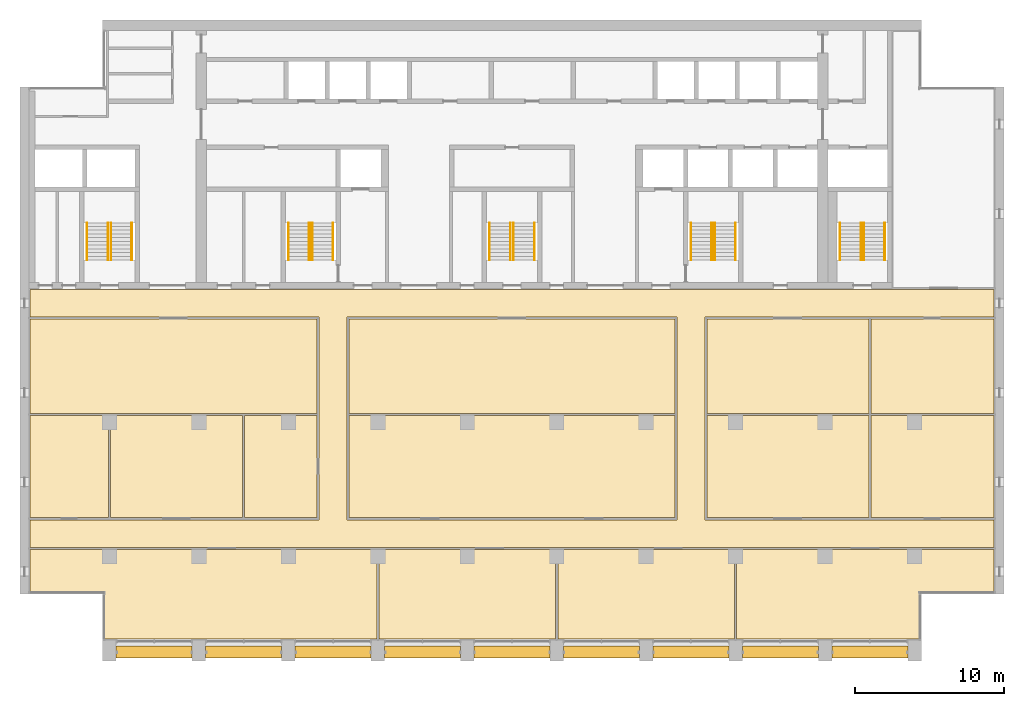
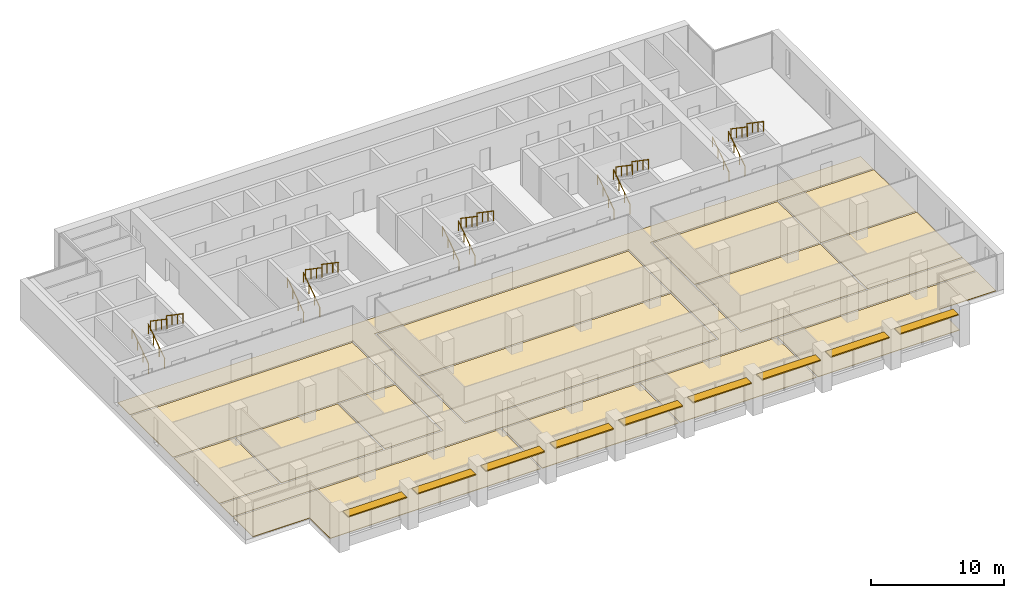
# One storey, part 16 of 17: 20 railings, 15 coverings, 9 shading devices, 5 elements without a shape of their own.
"""IFC4 building model written with IfcOpenShell, lengths in metres."""

from ifc_helpers import new_model, si_unit, direction, frame, origin, origin_2d, place, context, subcontext, project, spatial, polyline, rectangle, circle, outline, extrude, material, layer, layer_set, material_profile, profile_set, type_object, element, aggregate, save


model = new_model("IFC4")

# Units and contexts
model_context = context("Model", 3, precision=1e-05, world=origin(), true_north=direction((0.0, 1.0)))
body_context = subcontext(model_context, "Body", "Model", "MODEL_VIEW")
ifc_project = project(units=[si_unit("LENGTHUNIT", "METRE"), si_unit("AREAUNIT", "SQUARE_METRE"), si_unit("VOLUMEUNIT", "CUBIC_METRE"), si_unit("PLANEANGLEUNIT", "RADIAN"), si_unit("MASSUNIT", "GRAM", prefix="KILO")], contexts=[model_context])

# Site, building, storey
site_placement = place(None, origin())
site = spatial("IfcSite", under=ifc_project, at=site_placement, CompositionType="ELEMENT")
building_placement = place(site_placement, origin())
building = spatial("IfcBuilding", under=site, at=building_placement, Name="Calvaro Tower", CompositionType="ELEMENT")
storey_placement = place(building_placement, frame((0.0, 0.0, 211.75)))
storey = spatial("IfcBuildingStorey", under=building, at=storey_placement, Name="L53", CompositionType="ELEMENT", Elevation=211.75)

# Shading devices
ifc_material_1 = material(Name="Anodised aluminium", Category="aluminium")
ifc_material_profile = material_profile(ifc_material_1, rectangle(XDim=0.800048828125, YDim=0.10009765625, at=origin_2d()), Name="Brise-soleil blade 800 x 100")
ifc_profile_set = profile_set([ifc_material_profile], Name="Anodised aluminium")
shading_device_type = type_object("IfcShadingDeviceType", Name="Brise-soleil blade 800 x 100", PredefinedType="JALOUSIE", material=ifc_profile_set)
for number, where, z_axis, x_axis, name in (
    (1, (12.449951171875, 3.60009765625, 2.5), (1.0, 0.0, 0.0), (0.0, 1.0, 0.0), "Brise-soleil blade 1"),
    (2, (18.449951171875, 3.60009765625, 2.5), (1.0, 0.0, 0.0), (0.0, 1.0, 0.0), "Brise-soleil blade 2"),
    (3, (24.449951171875, 3.60009765625, 2.5), (1.0, 0.0, 0.0), (0.0, 1.0, 0.0), "Brise-soleil blade 3"),
    (4, (30.449951171875, 3.60009765625, 2.5), (1.0, 0.0, 0.0), (0.0, 1.0, 0.0), "Brise-soleil blade 4"),
    (5, (36.449951171875, 3.60009765625, 2.5), (1.0, 0.0, 0.0), (0.0, 1.0, 0.0), "Brise-soleil blade 5"),
    (6, (42.449951171875, 3.60009765625, 2.5), (1.0, 0.0, 0.0), (0.0, 1.0, 0.0), "Brise-soleil blade 6"),
    (7, (48.449951171875, 3.60009765625, 2.5), (1.0, 0.0, 0.0), (0.0, 1.0, 0.0), "Brise-soleil blade 7"),
    (8, (54.449951171875, 3.60009765625, 2.5), (1.0, 0.0, 0.0), (0.0, 1.0, 0.0), "Brise-soleil blade 8"),
    (9, (60.449951171875, 3.60009765625, 2.5), (1.0, 0.0, 0.0), (0.0, 1.0, 0.0), "Brise-soleil blade 9"),
):
    element("IfcShadingDevice", number, at=place(storey_placement, frame(where, z_axis=z_axis, x_axis=x_axis)), inside=storey, type_object=shading_device_type, Name=name, PredefinedType="JALOUSIE", context=body_context, shape_type="SweptSolid", body=[
        extrude(rectangle(XDim=0.800048828125, YDim=0.10009765625, at=origin_2d()), origin(), (0.0, 0.0, 1.0), 5.10009765625),
    ])

# Coverings
ifc_material_2 = material(Name="Cement screed with carpet tile finish")
ifc_layer = layer(ifc_material_2, 0.050048828125)
ifc_layer_set = layer_set([ifc_layer], Name="Cement screed with carpet tile finish")
covering_type = type_object("IfcCoveringType", Name="Floor finish 50", PredefinedType="FLOORING", material=ifc_layer_set)
covering_1_placement = place(storey_placement, origin())
element("IfcCovering", 10, at=covering_1_placement, inside=storey, type_object=covering_type, Name="Floor finish 30.01", PredefinedType="FLOORING", context=body_context, shape_type="SweptSolid", body=[
    extrude(outline(polyline([(6.669921875, 10.6201171875), (6.669921875, 12.47998046875), (26.070068359375, 12.47998046875), (26.070068359375, 26.070068359375), (6.669921875, 26.070068359375), (6.669921875, 27.929931640625), (71.330078125, 27.929931640625), (71.330078125, 26.070068359375), (51.929931640625, 26.070068359375), (51.929931640625, 12.47998046875), (71.330078125, 12.47998046875), (71.330078125, 10.6201171875), (6.669921875, 10.6201171875)]), holes=[polyline([(50.070068359375, 12.47998046875), (50.070068359375, 26.070068359375), (27.929931640625, 26.070068359375), (27.929931640625, 12.47998046875), (50.070068359375, 12.47998046875)])]), origin(), (0.0, 0.0, 1.0), 0.050048828125),
])
covering_2_placement = place(storey_placement, origin())
element("IfcCovering", 11, at=covering_2_placement, inside=storey, type_object=covering_type, Name="Floor finish 30.04", PredefinedType="FLOORING", context=body_context, shape_type="SweptSolid", body=[
    extrude(outline(polyline([(29.929931640625, 10.47998046875), (29.929931640625, 4.469970703125), (11.6201171875, 4.469970703125), (11.6201171875, 7.570068359375), (6.669921875, 7.570068359375), (6.669921875, 10.47998046875), (29.929931640625, 10.47998046875)])), origin(), (0.0, 0.0, 1.0), 0.050048828125),
])
covering_3_placement = place(storey_placement, origin())
element("IfcCovering", 12, at=covering_3_placement, inside=storey, type_object=covering_type, Name="Floor finish 30.02", PredefinedType="FLOORING", context=body_context, shape_type="SweptSolid", body=[
    extrude(outline(polyline([(30.070068359375, 10.47998046875), (41.929931640625, 10.47998046875), (41.929931640625, 4.469970703125), (30.070068359375, 4.469970703125), (30.070068359375, 10.47998046875)])), origin(), (0.0, 0.0, 1.0), 0.050048828125),
])
covering_4_placement = place(storey_placement, origin())
element("IfcCovering", 13, at=covering_4_placement, inside=storey, type_object=covering_type, Name="Floor finish 30.03", PredefinedType="FLOORING", context=body_context, shape_type="SweptSolid", body=[
    extrude(outline(polyline([(42.070068359375, 10.47998046875), (53.929931640625, 10.47998046875), (53.929931640625, 4.469970703125), (42.070068359375, 4.469970703125), (42.070068359375, 10.47998046875)])), origin(), (0.0, 0.0, 1.0), 0.050048828125),
])
covering_5_placement = place(storey_placement, origin())
element("IfcCovering", 14, at=covering_5_placement, inside=storey, type_object=covering_type, Name="Floor finish 30.05", PredefinedType="FLOORING", context=body_context, shape_type="SweptSolid", body=[
    extrude(outline(polyline([(71.330078125, 7.570068359375), (66.3798828125, 7.570068359375), (66.3798828125, 4.469970703125), (54.070068359375, 4.469970703125), (54.070068359375, 10.47998046875), (71.330078125, 10.47998046875), (71.330078125, 7.570068359375)])), origin(), (0.0, 0.0, 1.0), 0.050048828125),
])
covering_6_placement = place(storey_placement, origin())
element("IfcCovering", 15, at=covering_6_placement, inside=storey, type_object=covering_type, Name="Floor finish 30.06", PredefinedType="FLOORING", context=body_context, shape_type="SweptSolid", body=[
    extrude(outline(polyline([(11.929931640625, 19.47998046875), (11.929931640625, 12.6201171875), (6.669921875, 12.6201171875), (6.669921875, 19.47998046875), (11.929931640625, 19.47998046875)])), origin(), (0.0, 0.0, 1.0), 0.050048828125),
])
covering_7_placement = place(storey_placement, origin())
element("IfcCovering", 16, at=covering_7_placement, inside=storey, type_object=covering_type, Name="Floor finish 30.07", PredefinedType="FLOORING", context=body_context, shape_type="SweptSolid", body=[
    extrude(outline(polyline([(12.070068359375, 12.6201171875), (12.070068359375, 19.47998046875), (20.929931640625, 19.47998046875), (20.929931640625, 12.6201171875), (12.070068359375, 12.6201171875)])), origin(), (0.0, 0.0, 1.0), 0.050048828125),
])
covering_8_placement = place(storey_placement, origin())
element("IfcCovering", 17, at=covering_8_placement, inside=storey, type_object=covering_type, Name="Floor finish 30.08", PredefinedType="FLOORING", context=body_context, shape_type="SweptSolid", body=[
    extrude(outline(polyline([(21.070068359375, 12.6201171875), (21.070068359375, 19.47998046875), (25.929931640625, 19.47998046875), (25.929931640625, 12.6201171875), (21.070068359375, 12.6201171875)])), origin(), (0.0, 0.0, 1.0), 0.050048828125),
])
covering_9_placement = place(storey_placement, origin())
element("IfcCovering", 18, at=covering_9_placement, inside=storey, type_object=covering_type, Name="Floor finish 30.12", PredefinedType="FLOORING", context=body_context, shape_type="SweptSolid", body=[
    extrude(outline(polyline([(25.929931640625, 25.929931640625), (25.929931640625, 19.6201171875), (6.669921875, 19.6201171875), (6.669921875, 25.929931640625), (25.929931640625, 25.929931640625)])), origin(), (0.0, 0.0, 1.0), 0.050048828125),
])
covering_10_placement = place(storey_placement, origin())
element("IfcCovering", 19, at=covering_10_placement, inside=storey, type_object=covering_type, Name="Floor finish 30.09", PredefinedType="FLOORING", context=body_context, shape_type="SweptSolid", body=[
    extrude(outline(polyline([(28.070068359375, 12.6201171875), (28.070068359375, 19.47998046875), (49.929931640625, 19.47998046875), (49.929931640625, 12.6201171875), (28.070068359375, 12.6201171875)])), origin(), (0.0, 0.0, 1.0), 0.050048828125),
])
covering_11_placement = place(storey_placement, origin())
element("IfcCovering", 20, at=covering_11_placement, inside=storey, type_object=covering_type, Name="Floor finish 30.13", PredefinedType="FLOORING", context=body_context, shape_type="SweptSolid", body=[
    extrude(outline(polyline([(28.070068359375, 19.6201171875), (28.070068359375, 25.929931640625), (49.929931640625, 25.929931640625), (49.929931640625, 19.6201171875), (28.070068359375, 19.6201171875)])), origin(), (0.0, 0.0, 1.0), 0.050048828125),
])
covering_12_placement = place(storey_placement, origin())
element("IfcCovering", 21, at=covering_12_placement, inside=storey, type_object=covering_type, Name="Floor finish 30.10", PredefinedType="FLOORING", context=body_context, shape_type="SweptSolid", body=[
    extrude(outline(polyline([(52.070068359375, 12.6201171875), (52.070068359375, 19.47998046875), (62.929931640625, 19.47998046875), (62.929931640625, 12.6201171875), (52.070068359375, 12.6201171875)])), origin(), (0.0, 0.0, 1.0), 0.050048828125),
])
covering_13_placement = place(storey_placement, origin())
element("IfcCovering", 22, at=covering_13_placement, inside=storey, type_object=covering_type, Name="Floor finish 30.11", PredefinedType="FLOORING", context=body_context, shape_type="SweptSolid", body=[
    extrude(outline(polyline([(71.330078125, 12.6201171875), (63.070068359375, 12.6201171875), (63.070068359375, 19.47998046875), (71.330078125, 19.47998046875), (71.330078125, 12.6201171875)])), origin(), (0.0, 0.0, 1.0), 0.050048828125),
])
covering_14_placement = place(storey_placement, origin())
element("IfcCovering", 23, at=covering_14_placement, inside=storey, type_object=covering_type, Name="Floor finish 30.14", PredefinedType="FLOORING", context=body_context, shape_type="SweptSolid", body=[
    extrude(outline(polyline([(52.070068359375, 19.6201171875), (52.070068359375, 25.929931640625), (62.929931640625, 25.929931640625), (62.929931640625, 19.6201171875), (52.070068359375, 19.6201171875)])), origin(), (0.0, 0.0, 1.0), 0.050048828125),
])
covering_15_placement = place(storey_placement, origin())
element("IfcCovering", 24, at=covering_15_placement, inside=storey, type_object=covering_type, Name="Floor finish 30.15", PredefinedType="FLOORING", context=body_context, shape_type="SweptSolid", body=[
    extrude(outline(polyline([(71.330078125, 19.6201171875), (63.070068359375, 19.6201171875), (63.070068359375, 25.929931640625), (71.330078125, 25.929931640625), (71.330078125, 19.6201171875)])), origin(), (0.0, 0.0, 1.0), 0.050048828125),
])

# Stair, railings
ifc_material_3 = material(Name="Concrete C40/50", Category="concrete")
stair_type = type_object("IfcStairType", Name="Exit stair 1400 2 flights", PredefinedType="HALF_TURN_STAIR", material=ifc_material_3)
stair_1_placement = place(storey_placement, origin())
stair_1 = element("IfcStair", 25, at=stair_1_placement, inside=storey, type_object=stair_type, Name="Exit stair S1", PredefinedType="HALF_TURN_STAIR")
ifc_material_4 = material(Name="Stainless steel", Category="steel")
railing_type = type_object("IfcRailingType", Name="Stair handrail", PredefinedType="HANDRAIL", material=ifc_material_4)
railing_1_placement = place(storey_placement, frame((11.89990234375, 29.89990234375, 0.17041015625)))
railing_1 = element("IfcRailing", 26, at=railing_1_placement, type_object=railing_type, Name="Exit stair 1 handrail", PredefinedType="HANDRAIL", context=body_context, shape_type="SweptSolid", body=[
    extrude(circle(Radius=0.02392578125, at=origin_2d()), frame((0.0, 0.0, 0.8759765625), z_axis=(0.0, 0.826220514629, 0.563346839174), x_axis=(-1.0, 0.0, 0.0)), (0.0, 0.0, 1.0), 3.02587890625),
    extrude(circle(Radius=0.02099609375, at=origin_2d()), frame((0.0, 0.017333984375, 0.01171875)), (0.0, 0.0, 1.0), 0.851806640625),
    extrude(circle(Radius=0.02099609375, at=origin_2d()), frame((0.0, 0.833251953125, 0.568115234375)), (0.0, 0.0, 1.0), 0.851806640625),
    extrude(circle(Radius=0.02099609375, at=origin_2d()), frame((0.0, 1.666748046875, 1.136474609375)), (0.0, 0.0, 1.0), 0.851806640625),
    extrude(circle(Radius=0.02099609375, at=origin_2d()), frame((0.0, 2.482666015625, 1.69287109375)), (0.0, 0.0, 1.0), 0.851806640625),
])
railing_2_placement = place(storey_placement, frame((10.5, 29.89990234375, 0.17041015625)))
railing_2 = element("IfcRailing", 27, at=railing_2_placement, type_object=railing_type, Name="Exit stair 1 handrail", PredefinedType="HANDRAIL", context=body_context, shape_type="SweptSolid", body=[
    extrude(circle(Radius=0.02392578125, at=origin_2d()), frame((0.0, 0.0, 0.8759765625), z_axis=(0.0, 0.826220514629, 0.563346839174), x_axis=(-1.0, 0.0, 0.0)), (0.0, 0.0, 1.0), 3.02587890625),
    extrude(circle(Radius=0.02099609375, at=origin_2d()), frame((0.0, 0.017333984375, 0.01171875)), (0.0, 0.0, 1.0), 0.851806640625),
    extrude(circle(Radius=0.02099609375, at=origin_2d()), frame((0.0, 0.833251953125, 0.568115234375)), (0.0, 0.0, 1.0), 0.851806640625),
    extrude(circle(Radius=0.02099609375, at=origin_2d()), frame((0.0, 1.666748046875, 1.136474609375)), (0.0, 0.0, 1.0), 0.851806640625),
    extrude(circle(Radius=0.02099609375, at=origin_2d()), frame((0.0, 2.482666015625, 1.69287109375)), (0.0, 0.0, 1.0), 0.851806640625),
])
railing_3_placement = place(storey_placement, frame((12.10009765625, 32.39990234375, 2.04541015625)))
railing_3 = element("IfcRailing", 28, at=railing_3_placement, type_object=railing_type, Name="Exit stair 1 handrail", PredefinedType="HANDRAIL", context=body_context, shape_type="SweptSolid", body=[
    extrude(circle(Radius=0.02392578125, at=origin_2d()), frame((0.0, 0.0, 0.8759765625), z_axis=(0.0, -0.826220514629, 0.563346839174), x_axis=(1.0, 0.0, 0.0)), (0.0, 0.0, 1.0), 3.02587890625),
    extrude(circle(Radius=0.02099609375, at=origin_2d()), frame((0.0, -0.017333984375, 0.01171875)), (0.0, 0.0, 1.0), 0.851806640625),
    extrude(circle(Radius=0.02099609375, at=origin_2d()), frame((0.0, -0.833251953125, 0.568115234375)), (0.0, 0.0, 1.0), 0.851806640625),
    extrude(circle(Radius=0.02099609375, at=origin_2d()), frame((0.0, -1.666748046875, 1.136474609375)), (0.0, 0.0, 1.0), 0.851806640625),
    extrude(circle(Radius=0.02099609375, at=origin_2d()), frame((0.0, -2.482666015625, 1.69287109375)), (0.0, 0.0, 1.0), 0.851806640625),
])
railing_4_placement = place(storey_placement, frame((13.5, 32.39990234375, 2.04541015625)))
railing_4 = element("IfcRailing", 29, at=railing_4_placement, type_object=railing_type, Name="Exit stair 1 handrail", PredefinedType="HANDRAIL", context=body_context, shape_type="SweptSolid", body=[
    extrude(circle(Radius=0.02392578125, at=origin_2d()), frame((0.0, 0.0, 0.8759765625), z_axis=(0.0, -0.826220514629, 0.563346839174), x_axis=(1.0, 0.0, 0.0)), (0.0, 0.0, 1.0), 3.02587890625),
    extrude(circle(Radius=0.02099609375, at=origin_2d()), frame((0.0, -0.017333984375, 0.01171875)), (0.0, 0.0, 1.0), 0.851806640625),
    extrude(circle(Radius=0.02099609375, at=origin_2d()), frame((0.0, -0.833251953125, 0.568115234375)), (0.0, 0.0, 1.0), 0.851806640625),
    extrude(circle(Radius=0.02099609375, at=origin_2d()), frame((0.0, -1.666748046875, 1.136474609375)), (0.0, 0.0, 1.0), 0.851806640625),
    extrude(circle(Radius=0.02099609375, at=origin_2d()), frame((0.0, -2.482666015625, 1.69287109375)), (0.0, 0.0, 1.0), 0.851806640625),
])
aggregate(stair_1, [railing_1, railing_2, railing_3, railing_4])

stair_2_placement = place(storey_placement, origin())
stair_2 = element("IfcStair", 30, at=stair_2_placement, inside=storey, type_object=stair_type, Name="Exit stair S2", PredefinedType="HALF_TURN_STAIR")
railing_5_placement = place(storey_placement, frame((25.39990234375, 29.89990234375, 0.17041015625)))
railing_5 = element("IfcRailing", 31, at=railing_5_placement, type_object=railing_type, Name="Exit stair 2 handrail", PredefinedType="HANDRAIL", context=body_context, shape_type="SweptSolid", body=[
    extrude(circle(Radius=0.02392578125, at=origin_2d()), frame((0.0, 0.0, 0.8759765625), z_axis=(0.0, 0.826220514629, 0.563346839174), x_axis=(-1.0, 0.0, 0.0)), (0.0, 0.0, 1.0), 3.02587890625),
    extrude(circle(Radius=0.02099609375, at=origin_2d()), frame((0.0, 0.017333984375, 0.01171875)), (0.0, 0.0, 1.0), 0.851806640625),
    extrude(circle(Radius=0.02099609375, at=origin_2d()), frame((0.0, 0.833251953125, 0.568115234375)), (0.0, 0.0, 1.0), 0.851806640625),
    extrude(circle(Radius=0.02099609375, at=origin_2d()), frame((0.0, 1.666748046875, 1.136474609375)), (0.0, 0.0, 1.0), 0.851806640625),
    extrude(circle(Radius=0.02099609375, at=origin_2d()), frame((0.0, 2.482666015625, 1.69287109375)), (0.0, 0.0, 1.0), 0.851806640625),
])
railing_6_placement = place(storey_placement, frame((24.0, 29.89990234375, 0.17041015625)))
railing_6 = element("IfcRailing", 32, at=railing_6_placement, type_object=railing_type, Name="Exit stair 2 handrail", PredefinedType="HANDRAIL", context=body_context, shape_type="SweptSolid", body=[
    extrude(circle(Radius=0.02392578125, at=origin_2d()), frame((0.0, 0.0, 0.8759765625), z_axis=(0.0, 0.826220514629, 0.563346839174), x_axis=(-1.0, 0.0, 0.0)), (0.0, 0.0, 1.0), 3.02587890625),
    extrude(circle(Radius=0.02099609375, at=origin_2d()), frame((0.0, 0.017333984375, 0.01171875)), (0.0, 0.0, 1.0), 0.851806640625),
    extrude(circle(Radius=0.02099609375, at=origin_2d()), frame((0.0, 0.833251953125, 0.568115234375)), (0.0, 0.0, 1.0), 0.851806640625),
    extrude(circle(Radius=0.02099609375, at=origin_2d()), frame((0.0, 1.666748046875, 1.136474609375)), (0.0, 0.0, 1.0), 0.851806640625),
    extrude(circle(Radius=0.02099609375, at=origin_2d()), frame((0.0, 2.482666015625, 1.69287109375)), (0.0, 0.0, 1.0), 0.851806640625),
])
railing_7_placement = place(storey_placement, frame((25.60009765625, 32.39990234375, 2.04541015625)))
railing_7 = element("IfcRailing", 33, at=railing_7_placement, type_object=railing_type, Name="Exit stair 2 handrail", PredefinedType="HANDRAIL", context=body_context, shape_type="SweptSolid", body=[
    extrude(circle(Radius=0.02392578125, at=origin_2d()), frame((0.0, 0.0, 0.8759765625), z_axis=(0.0, -0.826220514629, 0.563346839174), x_axis=(1.0, 0.0, 0.0)), (0.0, 0.0, 1.0), 3.02587890625),
    extrude(circle(Radius=0.02099609375, at=origin_2d()), frame((0.0, -0.017333984375, 0.01171875)), (0.0, 0.0, 1.0), 0.851806640625),
    extrude(circle(Radius=0.02099609375, at=origin_2d()), frame((0.0, -0.833251953125, 0.568115234375)), (0.0, 0.0, 1.0), 0.851806640625),
    extrude(circle(Radius=0.02099609375, at=origin_2d()), frame((0.0, -1.666748046875, 1.136474609375)), (0.0, 0.0, 1.0), 0.851806640625),
    extrude(circle(Radius=0.02099609375, at=origin_2d()), frame((0.0, -2.482666015625, 1.69287109375)), (0.0, 0.0, 1.0), 0.851806640625),
])
railing_8_placement = place(storey_placement, frame((27.0, 32.39990234375, 2.04541015625)))
railing_8 = element("IfcRailing", 34, at=railing_8_placement, type_object=railing_type, Name="Exit stair 2 handrail", PredefinedType="HANDRAIL", context=body_context, shape_type="SweptSolid", body=[
    extrude(circle(Radius=0.02392578125, at=origin_2d()), frame((0.0, 0.0, 0.8759765625), z_axis=(0.0, -0.826220514629, 0.563346839174), x_axis=(1.0, 0.0, 0.0)), (0.0, 0.0, 1.0), 3.02587890625),
    extrude(circle(Radius=0.02099609375, at=origin_2d()), frame((0.0, -0.017333984375, 0.01171875)), (0.0, 0.0, 1.0), 0.851806640625),
    extrude(circle(Radius=0.02099609375, at=origin_2d()), frame((0.0, -0.833251953125, 0.568115234375)), (0.0, 0.0, 1.0), 0.851806640625),
    extrude(circle(Radius=0.02099609375, at=origin_2d()), frame((0.0, -1.666748046875, 1.136474609375)), (0.0, 0.0, 1.0), 0.851806640625),
    extrude(circle(Radius=0.02099609375, at=origin_2d()), frame((0.0, -2.482666015625, 1.69287109375)), (0.0, 0.0, 1.0), 0.851806640625),
])
aggregate(stair_2, [railing_5, railing_6, railing_7, railing_8])

stair_3_placement = place(storey_placement, origin())
stair_3 = element("IfcStair", 35, at=stair_3_placement, inside=storey, type_object=stair_type, Name="Exit stair S3", PredefinedType="HALF_TURN_STAIR")
railing_9_placement = place(storey_placement, frame((38.89990234375, 29.89990234375, 0.17041015625)))
railing_9 = element("IfcRailing", 36, at=railing_9_placement, type_object=railing_type, Name="Exit stair 3 handrail", PredefinedType="HANDRAIL", context=body_context, shape_type="SweptSolid", body=[
    extrude(circle(Radius=0.02392578125, at=origin_2d()), frame((0.0, 0.0, 0.8759765625), z_axis=(0.0, 0.826220514629, 0.563346839174), x_axis=(-1.0, 0.0, 0.0)), (0.0, 0.0, 1.0), 3.02587890625),
    extrude(circle(Radius=0.02099609375, at=origin_2d()), frame((0.0, 0.017333984375, 0.01171875)), (0.0, 0.0, 1.0), 0.851806640625),
    extrude(circle(Radius=0.02099609375, at=origin_2d()), frame((0.0, 0.833251953125, 0.568115234375)), (0.0, 0.0, 1.0), 0.851806640625),
    extrude(circle(Radius=0.02099609375, at=origin_2d()), frame((0.0, 1.666748046875, 1.136474609375)), (0.0, 0.0, 1.0), 0.851806640625),
    extrude(circle(Radius=0.02099609375, at=origin_2d()), frame((0.0, 2.482666015625, 1.69287109375)), (0.0, 0.0, 1.0), 0.851806640625),
])
railing_10_placement = place(storey_placement, frame((37.5, 29.89990234375, 0.17041015625)))
railing_10 = element("IfcRailing", 37, at=railing_10_placement, type_object=railing_type, Name="Exit stair 3 handrail", PredefinedType="HANDRAIL", context=body_context, shape_type="SweptSolid", body=[
    extrude(circle(Radius=0.02392578125, at=origin_2d()), frame((0.0, 0.0, 0.8759765625), z_axis=(0.0, 0.826220514629, 0.563346839174), x_axis=(-1.0, 0.0, 0.0)), (0.0, 0.0, 1.0), 3.02587890625),
    extrude(circle(Radius=0.02099609375, at=origin_2d()), frame((0.0, 0.017333984375, 0.01171875)), (0.0, 0.0, 1.0), 0.851806640625),
    extrude(circle(Radius=0.02099609375, at=origin_2d()), frame((0.0, 0.833251953125, 0.568115234375)), (0.0, 0.0, 1.0), 0.851806640625),
    extrude(circle(Radius=0.02099609375, at=origin_2d()), frame((0.0, 1.666748046875, 1.136474609375)), (0.0, 0.0, 1.0), 0.851806640625),
    extrude(circle(Radius=0.02099609375, at=origin_2d()), frame((0.0, 2.482666015625, 1.69287109375)), (0.0, 0.0, 1.0), 0.851806640625),
])
railing_11_placement = place(storey_placement, frame((39.10009765625, 32.39990234375, 2.04541015625)))
railing_11 = element("IfcRailing", 38, at=railing_11_placement, type_object=railing_type, Name="Exit stair 3 handrail", PredefinedType="HANDRAIL", context=body_context, shape_type="SweptSolid", body=[
    extrude(circle(Radius=0.02392578125, at=origin_2d()), frame((0.0, 0.0, 0.8759765625), z_axis=(0.0, -0.826220514629, 0.563346839174), x_axis=(1.0, 0.0, 0.0)), (0.0, 0.0, 1.0), 3.02587890625),
    extrude(circle(Radius=0.02099609375, at=origin_2d()), frame((0.0, -0.017333984375, 0.01171875)), (0.0, 0.0, 1.0), 0.851806640625),
    extrude(circle(Radius=0.02099609375, at=origin_2d()), frame((0.0, -0.833251953125, 0.568115234375)), (0.0, 0.0, 1.0), 0.851806640625),
    extrude(circle(Radius=0.02099609375, at=origin_2d()), frame((0.0, -1.666748046875, 1.136474609375)), (0.0, 0.0, 1.0), 0.851806640625),
    extrude(circle(Radius=0.02099609375, at=origin_2d()), frame((0.0, -2.482666015625, 1.69287109375)), (0.0, 0.0, 1.0), 0.851806640625),
])
railing_12_placement = place(storey_placement, frame((40.5, 32.39990234375, 2.04541015625)))
railing_12 = element("IfcRailing", 39, at=railing_12_placement, type_object=railing_type, Name="Exit stair 3 handrail", PredefinedType="HANDRAIL", context=body_context, shape_type="SweptSolid", body=[
    extrude(circle(Radius=0.02392578125, at=origin_2d()), frame((0.0, 0.0, 0.8759765625), z_axis=(0.0, -0.826220514629, 0.563346839174), x_axis=(1.0, 0.0, 0.0)), (0.0, 0.0, 1.0), 3.02587890625),
    extrude(circle(Radius=0.02099609375, at=origin_2d()), frame((0.0, -0.017333984375, 0.01171875)), (0.0, 0.0, 1.0), 0.851806640625),
    extrude(circle(Radius=0.02099609375, at=origin_2d()), frame((0.0, -0.833251953125, 0.568115234375)), (0.0, 0.0, 1.0), 0.851806640625),
    extrude(circle(Radius=0.02099609375, at=origin_2d()), frame((0.0, -1.666748046875, 1.136474609375)), (0.0, 0.0, 1.0), 0.851806640625),
    extrude(circle(Radius=0.02099609375, at=origin_2d()), frame((0.0, -2.482666015625, 1.69287109375)), (0.0, 0.0, 1.0), 0.851806640625),
])
aggregate(stair_3, [railing_9, railing_10, railing_11, railing_12])

stair_4_placement = place(storey_placement, origin())
stair_4 = element("IfcStair", 40, at=stair_4_placement, inside=storey, type_object=stair_type, Name="Exit stair S4", PredefinedType="HALF_TURN_STAIR")
railing_13_placement = place(storey_placement, frame((52.39990234375, 29.89990234375, 0.17041015625)))
railing_13 = element("IfcRailing", 41, at=railing_13_placement, type_object=railing_type, Name="Exit stair 4 handrail", PredefinedType="HANDRAIL", context=body_context, shape_type="SweptSolid", body=[
    extrude(circle(Radius=0.02392578125, at=origin_2d()), frame((0.0, 0.0, 0.8759765625), z_axis=(0.0, 0.826220514629, 0.563346839174), x_axis=(-1.0, 0.0, 0.0)), (0.0, 0.0, 1.0), 3.02587890625),
    extrude(circle(Radius=0.02099609375, at=origin_2d()), frame((0.0, 0.017333984375, 0.01171875)), (0.0, 0.0, 1.0), 0.851806640625),
    extrude(circle(Radius=0.02099609375, at=origin_2d()), frame((0.0, 0.833251953125, 0.568115234375)), (0.0, 0.0, 1.0), 0.851806640625),
    extrude(circle(Radius=0.02099609375, at=origin_2d()), frame((0.0, 1.666748046875, 1.136474609375)), (0.0, 0.0, 1.0), 0.851806640625),
    extrude(circle(Radius=0.02099609375, at=origin_2d()), frame((0.0, 2.482666015625, 1.69287109375)), (0.0, 0.0, 1.0), 0.851806640625),
])
railing_14_placement = place(storey_placement, frame((51.0, 29.89990234375, 0.17041015625)))
railing_14 = element("IfcRailing", 42, at=railing_14_placement, type_object=railing_type, Name="Exit stair 4 handrail", PredefinedType="HANDRAIL", context=body_context, shape_type="SweptSolid", body=[
    extrude(circle(Radius=0.02392578125, at=origin_2d()), frame((0.0, 0.0, 0.8759765625), z_axis=(0.0, 0.826220514629, 0.563346839174), x_axis=(-1.0, 0.0, 0.0)), (0.0, 0.0, 1.0), 3.02587890625),
    extrude(circle(Radius=0.02099609375, at=origin_2d()), frame((0.0, 0.017333984375, 0.01171875)), (0.0, 0.0, 1.0), 0.851806640625),
    extrude(circle(Radius=0.02099609375, at=origin_2d()), frame((0.0, 0.833251953125, 0.568115234375)), (0.0, 0.0, 1.0), 0.851806640625),
    extrude(circle(Radius=0.02099609375, at=origin_2d()), frame((0.0, 1.666748046875, 1.136474609375)), (0.0, 0.0, 1.0), 0.851806640625),
    extrude(circle(Radius=0.02099609375, at=origin_2d()), frame((0.0, 2.482666015625, 1.69287109375)), (0.0, 0.0, 1.0), 0.851806640625),
])
railing_15_placement = place(storey_placement, frame((52.60009765625, 32.39990234375, 2.04541015625)))
railing_15 = element("IfcRailing", 43, at=railing_15_placement, type_object=railing_type, Name="Exit stair 4 handrail", PredefinedType="HANDRAIL", context=body_context, shape_type="SweptSolid", body=[
    extrude(circle(Radius=0.02392578125, at=origin_2d()), frame((0.0, 0.0, 0.8759765625), z_axis=(0.0, -0.826220514629, 0.563346839174), x_axis=(1.0, 0.0, 0.0)), (0.0, 0.0, 1.0), 3.02587890625),
    extrude(circle(Radius=0.02099609375, at=origin_2d()), frame((0.0, -0.017333984375, 0.01171875)), (0.0, 0.0, 1.0), 0.851806640625),
    extrude(circle(Radius=0.02099609375, at=origin_2d()), frame((0.0, -0.833251953125, 0.568115234375)), (0.0, 0.0, 1.0), 0.851806640625),
    extrude(circle(Radius=0.02099609375, at=origin_2d()), frame((0.0, -1.666748046875, 1.136474609375)), (0.0, 0.0, 1.0), 0.851806640625),
    extrude(circle(Radius=0.02099609375, at=origin_2d()), frame((0.0, -2.482666015625, 1.69287109375)), (0.0, 0.0, 1.0), 0.851806640625),
])
railing_16_placement = place(storey_placement, frame((54.0, 32.39990234375, 2.04541015625)))
railing_16 = element("IfcRailing", 44, at=railing_16_placement, type_object=railing_type, Name="Exit stair 4 handrail", PredefinedType="HANDRAIL", context=body_context, shape_type="SweptSolid", body=[
    extrude(circle(Radius=0.02392578125, at=origin_2d()), frame((0.0, 0.0, 0.8759765625), z_axis=(0.0, -0.826220514629, 0.563346839174), x_axis=(1.0, 0.0, 0.0)), (0.0, 0.0, 1.0), 3.02587890625),
    extrude(circle(Radius=0.02099609375, at=origin_2d()), frame((0.0, -0.017333984375, 0.01171875)), (0.0, 0.0, 1.0), 0.851806640625),
    extrude(circle(Radius=0.02099609375, at=origin_2d()), frame((0.0, -0.833251953125, 0.568115234375)), (0.0, 0.0, 1.0), 0.851806640625),
    extrude(circle(Radius=0.02099609375, at=origin_2d()), frame((0.0, -1.666748046875, 1.136474609375)), (0.0, 0.0, 1.0), 0.851806640625),
    extrude(circle(Radius=0.02099609375, at=origin_2d()), frame((0.0, -2.482666015625, 1.69287109375)), (0.0, 0.0, 1.0), 0.851806640625),
])
aggregate(stair_4, [railing_13, railing_14, railing_15, railing_16])

stair_5_placement = place(storey_placement, origin())
stair_5 = element("IfcStair", 45, at=stair_5_placement, inside=storey, type_object=stair_type, Name="Exit stair S5", PredefinedType="HALF_TURN_STAIR")
railing_17_placement = place(storey_placement, frame((62.39990234375, 29.89990234375, 0.17041015625)))
railing_17 = element("IfcRailing", 46, at=railing_17_placement, type_object=railing_type, Name="Exit stair 5 handrail", PredefinedType="HANDRAIL", context=body_context, shape_type="SweptSolid", body=[
    extrude(circle(Radius=0.02392578125, at=origin_2d()), frame((0.0, 0.0, 0.8759765625), z_axis=(0.0, 0.826220514629, 0.563346839174), x_axis=(-1.0, 0.0, 0.0)), (0.0, 0.0, 1.0), 3.02587890625),
    extrude(circle(Radius=0.02099609375, at=origin_2d()), frame((0.0, 0.017333984375, 0.01171875)), (0.0, 0.0, 1.0), 0.851806640625),
    extrude(circle(Radius=0.02099609375, at=origin_2d()), frame((0.0, 0.833251953125, 0.568115234375)), (0.0, 0.0, 1.0), 0.851806640625),
    extrude(circle(Radius=0.02099609375, at=origin_2d()), frame((0.0, 1.666748046875, 1.136474609375)), (0.0, 0.0, 1.0), 0.851806640625),
    extrude(circle(Radius=0.02099609375, at=origin_2d()), frame((0.0, 2.482666015625, 1.69287109375)), (0.0, 0.0, 1.0), 0.851806640625),
])
railing_18_placement = place(storey_placement, frame((61.0, 29.89990234375, 0.17041015625)))
railing_18 = element("IfcRailing", 47, at=railing_18_placement, type_object=railing_type, Name="Exit stair 5 handrail", PredefinedType="HANDRAIL", context=body_context, shape_type="SweptSolid", body=[
    extrude(circle(Radius=0.02392578125, at=origin_2d()), frame((0.0, 0.0, 0.8759765625), z_axis=(0.0, 0.826220514629, 0.563346839174), x_axis=(-1.0, 0.0, 0.0)), (0.0, 0.0, 1.0), 3.02587890625),
    extrude(circle(Radius=0.02099609375, at=origin_2d()), frame((0.0, 0.017333984375, 0.01171875)), (0.0, 0.0, 1.0), 0.851806640625),
    extrude(circle(Radius=0.02099609375, at=origin_2d()), frame((0.0, 0.833251953125, 0.568115234375)), (0.0, 0.0, 1.0), 0.851806640625),
    extrude(circle(Radius=0.02099609375, at=origin_2d()), frame((0.0, 1.666748046875, 1.136474609375)), (0.0, 0.0, 1.0), 0.851806640625),
    extrude(circle(Radius=0.02099609375, at=origin_2d()), frame((0.0, 2.482666015625, 1.69287109375)), (0.0, 0.0, 1.0), 0.851806640625),
])
railing_19_placement = place(storey_placement, frame((62.60009765625, 32.39990234375, 2.04541015625)))
railing_19 = element("IfcRailing", 48, at=railing_19_placement, type_object=railing_type, Name="Exit stair 5 handrail", PredefinedType="HANDRAIL", context=body_context, shape_type="SweptSolid", body=[
    extrude(circle(Radius=0.02392578125, at=origin_2d()), frame((0.0, 0.0, 0.8759765625), z_axis=(0.0, -0.826220514629, 0.563346839174), x_axis=(1.0, 0.0, 0.0)), (0.0, 0.0, 1.0), 3.02587890625),
    extrude(circle(Radius=0.02099609375, at=origin_2d()), frame((0.0, -0.017333984375, 0.01171875)), (0.0, 0.0, 1.0), 0.851806640625),
    extrude(circle(Radius=0.02099609375, at=origin_2d()), frame((0.0, -0.833251953125, 0.568115234375)), (0.0, 0.0, 1.0), 0.851806640625),
    extrude(circle(Radius=0.02099609375, at=origin_2d()), frame((0.0, -1.666748046875, 1.136474609375)), (0.0, 0.0, 1.0), 0.851806640625),
    extrude(circle(Radius=0.02099609375, at=origin_2d()), frame((0.0, -2.482666015625, 1.69287109375)), (0.0, 0.0, 1.0), 0.851806640625),
])
railing_20_placement = place(storey_placement, frame((64.0, 32.39990234375, 2.04541015625)))
railing_20 = element("IfcRailing", 49, at=railing_20_placement, type_object=railing_type, Name="Exit stair 5 handrail", PredefinedType="HANDRAIL", context=body_context, shape_type="SweptSolid", body=[
    extrude(circle(Radius=0.02392578125, at=origin_2d()), frame((0.0, 0.0, 0.8759765625), z_axis=(0.0, -0.826220514629, 0.563346839174), x_axis=(1.0, 0.0, 0.0)), (0.0, 0.0, 1.0), 3.02587890625),
    extrude(circle(Radius=0.02099609375, at=origin_2d()), frame((0.0, -0.017333984375, 0.01171875)), (0.0, 0.0, 1.0), 0.851806640625),
    extrude(circle(Radius=0.02099609375, at=origin_2d()), frame((0.0, -0.833251953125, 0.568115234375)), (0.0, 0.0, 1.0), 0.851806640625),
    extrude(circle(Radius=0.02099609375, at=origin_2d()), frame((0.0, -1.666748046875, 1.136474609375)), (0.0, 0.0, 1.0), 0.851806640625),
    extrude(circle(Radius=0.02099609375, at=origin_2d()), frame((0.0, -2.482666015625, 1.69287109375)), (0.0, 0.0, 1.0), 0.851806640625),
])
aggregate(stair_5, [railing_17, railing_18, railing_19, railing_20])

save(model, "model.ifc")
